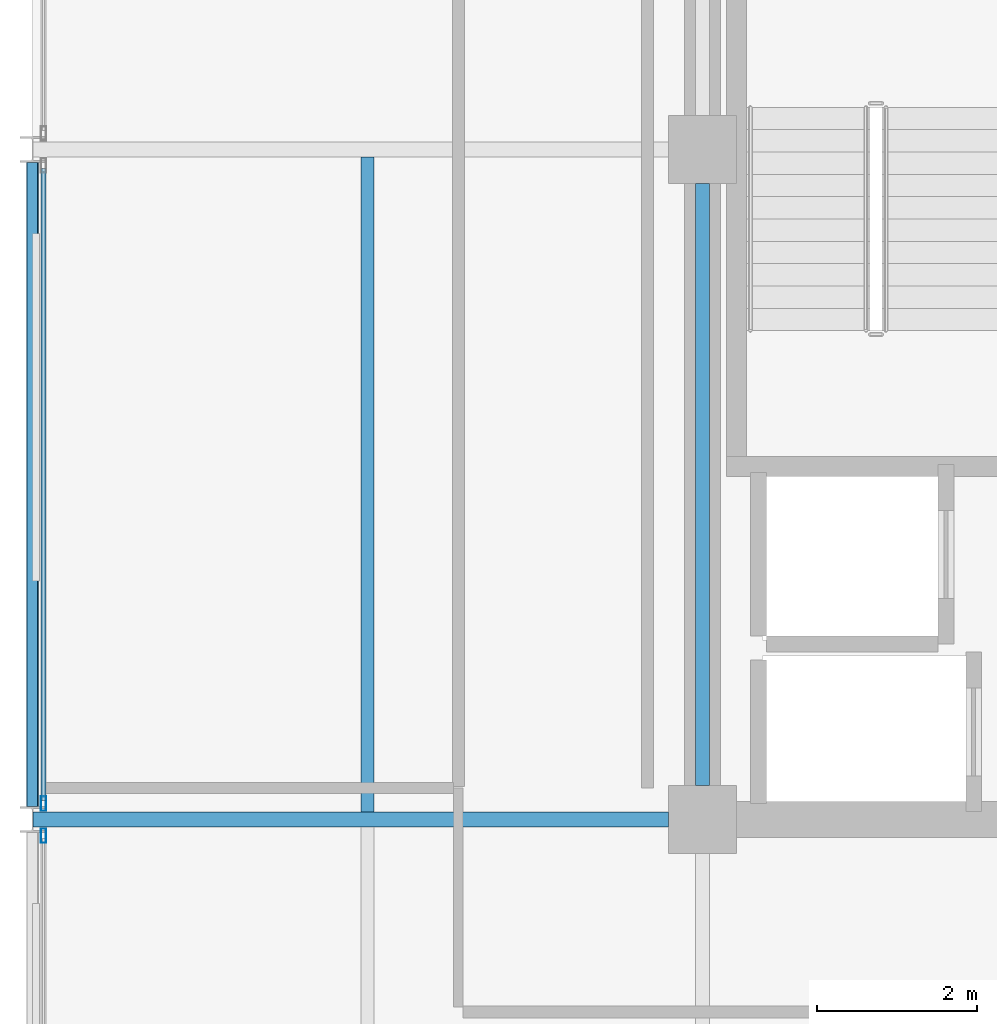
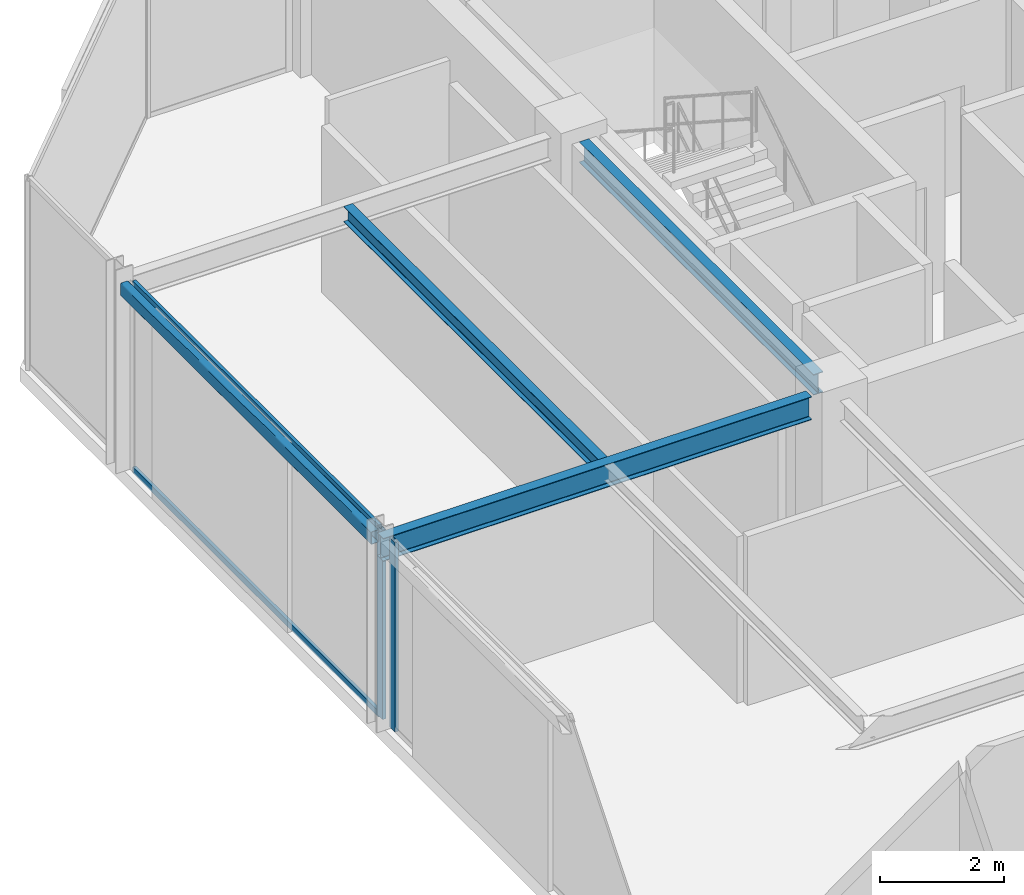
# One storey, part 11 of 26: 4 beams, 4 members, 2 elements without a shape of their own.
"""IFC4 building model written with IfcOpenShell, lengths in metres."""

from ifc_helpers import new_model, si_unit, direction, frame, origin, origin_2d, place, context, subcontext, project, spatial, hollow_rectangle, i_section, extrude, material, layer, layer_set, material_profile, profile_set, type_object, element, aggregate, save


model = new_model("IFC4")

# Units and contexts
model_context = context("Model", 3, precision=1e-05, world=origin(), true_north=direction((0.0, 1.0)))
body_context = subcontext(model_context, "Body", "Model", "MODEL_VIEW")
ifc_project = project(units=[si_unit("LENGTHUNIT", "METRE"), si_unit("AREAUNIT", "SQUARE_METRE"), si_unit("VOLUMEUNIT", "CUBIC_METRE"), si_unit("PLANEANGLEUNIT", "RADIAN"), si_unit("MASSUNIT", "GRAM", prefix="KILO")], contexts=[model_context])

# Site, building, storey
site_placement = place(None, origin())
site = spatial("IfcSite", under=ifc_project, at=site_placement, CompositionType="ELEMENT")
building_placement = place(site_placement, origin())
building = spatial("IfcBuilding", under=site, at=building_placement, Name="Nerrivon Quay Data Exchange", CompositionType="ELEMENT")
storey_placement = place(building_placement, frame((0.0, 0.0, 270.199951171875)))
storey = spatial("IfcBuildingStorey", under=building, at=storey_placement, Name="L64", CompositionType="ELEMENT", Elevation=270.199951171875)

# Beams
ifc_material_1 = material(Name="Steel Grade 350", Category="steel")
ifc_material_profile_1 = material_profile(ifc_material_1, i_section(OverallWidth=0.18994140625, OverallDepth=0.4541015625, WebThickness=0.008544921875, FlangeThickness=0.0126953125, FilletRadius=0.011474609375, at=origin_2d()), Name="460UB67.1")
ifc_profile_set_1 = profile_set([ifc_material_profile_1], Name="Steel Grade 350")
beam_type_1 = type_object("IfcBeamType", Name="BM-G6-460UB67", PredefinedType="BEAM", material=ifc_profile_set_1)
beam_1_placement = place(storey_placement, frame((0.0078125, 25.199951171875, 3.498046875), z_axis=(1.0, 0.0, 0.0), x_axis=(0.0, 1.0, 0.0)))
element("IfcBeam", 1, at=beam_1_placement, inside=storey, type_object=beam_type_1, Name="L64 EW Girder Y=25.2 (0.0..8.4)", PredefinedType="BEAM", context=body_context, shape_type="SweptSolid", body=[
    extrude(i_section(OverallWidth=0.18994140625, OverallDepth=0.4541015625, WebThickness=0.008544921875, FlangeThickness=0.0126953125, FilletRadius=0.011474609375, at=origin_2d()), origin(), (0.0, 0.0, 1.0), 7.96728515625),
])
ifc_material_profile_2 = material_profile(ifc_material_1, i_section(OverallWidth=0.177978515625, OverallDepth=0.406005859375, WebThickness=0.0078125, FlangeThickness=0.0126953125, FilletRadius=0.011474609375, at=origin_2d()), Name="410UB59.7")
ifc_profile_set_2 = profile_set([ifc_material_profile_2], Name="Steel Grade 350")
beam_type_2 = type_object("IfcBeamType", Name="BM-J1-410UB60", PredefinedType="JOIST", material=ifc_profile_set_2)
beam_2_placement = place(storey_placement, frame((8.39990234375, 25.625, 3.52197265625), z_axis=(0.0, 1.0, 0.0), x_axis=(-1.0, 0.0, 0.0)))
element("IfcBeam", 2, at=beam_2_placement, inside=storey, type_object=beam_type_2, Name="L64 NS Girder X=8.4 (25.2..33.6)", PredefinedType="JOIST", context=body_context, shape_type="SweptSolid", body=[
    extrude(i_section(OverallWidth=0.177978515625, OverallDepth=0.406005859375, WebThickness=0.0078125, FlangeThickness=0.0126953125, FilletRadius=0.011474609375, at=origin_2d()), origin(), (0.0, 0.0, 1.0), 7.550048828125),
])
ifc_material_profile_3 = material_profile(ifc_material_1, i_section(OverallWidth=0.1650390625, OverallDepth=0.303955078125, WebThickness=0.006103515625, FlangeThickness=0.01025390625, FilletRadius=0.011474609375, at=origin_2d()), Name="310UB40.4")
ifc_profile_set_3 = profile_set([ifc_material_profile_3], Name="Steel Grade 350")
beam_type_3 = type_object("IfcBeamType", Name="BM-J6-310UB40", PredefinedType="JOIST", material=ifc_profile_set_3)
beam_3_placement = place(storey_placement, frame((4.199951171875, 25.294921875, 3.572998046875), z_axis=(0.0, 1.0, 0.0), x_axis=(-1.0, 0.0, 0.0)))
element("IfcBeam", 3, at=beam_3_placement, inside=storey, type_object=beam_type_3, Name="L64 Secondary Joist X=4.2 (25.2..33.6)", PredefinedType="JOIST", context=body_context, shape_type="SweptSolid", body=[
    extrude(i_section(OverallWidth=0.1650390625, OverallDepth=0.303955078125, WebThickness=0.006103515625, FlangeThickness=0.01025390625, FilletRadius=0.011474609375, at=origin_2d()), origin(), (0.0, 0.0, 1.0), 8.2099609375),
])
ifc_material_2 = material(Name="Steel Grade C350L0 (350 MPa)", Category="steel")
ifc_material_profile_4 = material_profile(ifc_material_2, hollow_rectangle(XDim=0.14990234375, YDim=0.25, WallThickness=0.009033203125, InnerFilletRadius=0.013427734375, OuterFilletRadius=0.0224609375, at=origin_2d()), Name="250x150x9.0RHS")
ifc_profile_set_4 = profile_set([ifc_material_profile_4], Name="Steel Grade C350L0 (350 MPa)")
beam_type_4 = type_object("IfcBeamType", Name="BM-SP4-250x150RHS", PredefinedType="SPANDREL", material=ifc_profile_set_4)
beam_4_placement = place(storey_placement, frame((0.0, 25.363525390625, 3.60009765625), z_axis=(0.0, 1.0, 0.0), x_axis=(-1.0, 0.0, 0.0)))
element("IfcBeam", 4, at=beam_4_placement, inside=storey, type_object=beam_type_4, Name="L64 NS Girder X=0.0 (25.2..33.6)", PredefinedType="SPANDREL", context=body_context, shape_type="SweptSolid", body=[
    extrude(hollow_rectangle(XDim=0.14990234375, YDim=0.25, WallThickness=0.009033203125, InnerFilletRadius=0.013427734375, OuterFilletRadius=0.0224609375, at=origin_2d()), origin(), (0.0, 0.0, 1.0), 8.072998046875),
])

# Curtain wall, member
ifc_material_3 = material(Name="Anodised aluminium 6063-T6", Category="aluminium")
ifc_layer = layer(ifc_material_3, 0.195068359375)
ifc_layer_set = layer_set([ifc_layer], Name="Anodised aluminium 6063-T6")
curtain_wall_type = type_object("IfcCurtainWallType", Name="CW-SYS-06", PredefinedType="NOTDEFINED", material=ifc_layer_set)
curtain_wall_1_placement = place(storey_placement, origin())
curtain_wall_1 = element("IfcCurtainWall", 5, at=curtain_wall_1_placement, inside=storey, type_object=curtain_wall_type, Name="L64 Unitised Curtain Wall 13", PredefinedType="NOTDEFINED")
ifc_material_profile_5 = material_profile(ifc_material_3, hollow_rectangle(XDim=0.06494140625, YDim=0.179931640625, WallThickness=0.00341796875, at=origin_2d()), Name="ALU-MULL-180x65")
ifc_profile_set_5 = profile_set([ifc_material_profile_5], Name="Anodised aluminium 6063-T6")
member_type_1 = type_object("IfcMemberType", Name="CWM-180x65", PredefinedType="MULLION", material=ifc_profile_set_5)
member_1_placement = place(storey_placement, frame((0.139892578125, 24.9990234375, 0.0), z_axis=(0.0, 0.0, 1.0), x_axis=(-1.0, 0.0, 0.0)))
member_1 = element("IfcMember", 6, at=member_1_placement, type_object=member_type_1, Name="CW06 mullion 2", PredefinedType="MULLION", context=body_context, shape_type="SweptSolid", body=[
    extrude(hollow_rectangle(XDim=0.06494140625, YDim=0.179931640625, WallThickness=0.00341796875, at=origin_2d()), origin(), (0.0, 0.0, 1.0), 3.72509765625),
])
aggregate(curtain_wall_1, [member_1])

# Curtain wall, members
curtain_wall_2_placement = place(storey_placement, origin())
curtain_wall_2 = element("IfcCurtainWall", 7, at=curtain_wall_2_placement, inside=storey, type_object=curtain_wall_type, Name="L64 Unitised Curtain Wall 14", PredefinedType="NOTDEFINED")
member_2_placement = place(storey_placement, frame((0.139892578125, 25.40087890625, 0.0), z_axis=(0.0, 0.0, 1.0), x_axis=(-1.0, 0.0, 0.0)))
member_2 = element("IfcMember", 8, at=member_2_placement, type_object=member_type_1, Name="CW06 mullion 1", PredefinedType="MULLION", context=body_context, shape_type="SweptSolid", body=[
    extrude(hollow_rectangle(XDim=0.06494140625, YDim=0.179931640625, WallThickness=0.00341796875, at=origin_2d()), origin(), (0.0, 0.0, 1.0), 3.72509765625),
])
ifc_material_profile_6 = material_profile(ifc_material_3, hollow_rectangle(XDim=0.06005859375, YDim=0.1201171875, WallThickness=0.003173828125, at=origin_2d()), Name="ALU-TRAN-120x60")
ifc_profile_set_6 = profile_set([ifc_material_profile_6], Name="Anodised aluminium 6063-T6")
member_type_2 = type_object("IfcMemberType", Name="CWT-120x60", PredefinedType="USERDEFINED", material=ifc_profile_set_6)
member_3_placement = place(storey_placement, frame((0.139892578125, 25.4384765625, 0.032470703125), z_axis=(0.0, 1.0, 0.0), x_axis=(-1.0, 0.0, 0.0)))
member_3 = element("IfcMember", 9, at=member_3_placement, type_object=member_type_2, Name="CW06 transom 1.1", ObjectType="TRANSOM", PredefinedType="USERDEFINED", context=body_context, shape_type="SweptSolid", body=[
    extrude(hollow_rectangle(XDim=0.06005859375, YDim=0.1201171875, WallThickness=0.003173828125, at=origin_2d()), origin(), (0.0, 0.0, 1.0), 7.923095703125),
])
member_4_placement = place(storey_placement, frame((0.139892578125, 25.4384765625, 3.692626953125), z_axis=(0.0, 1.0, 0.0), x_axis=(-1.0, 0.0, 0.0)))
member_4 = element("IfcMember", 10, at=member_4_placement, type_object=member_type_2, Name="CW06 transom 1.2", ObjectType="TRANSOM", PredefinedType="USERDEFINED", context=body_context, shape_type="SweptSolid", body=[
    extrude(hollow_rectangle(XDim=0.06005859375, YDim=0.1201171875, WallThickness=0.003173828125, at=origin_2d()), origin(), (0.0, 0.0, 1.0), 7.923095703125),
])
aggregate(curtain_wall_2, [member_2, member_3, member_4])

save(model, "model.ifc")
